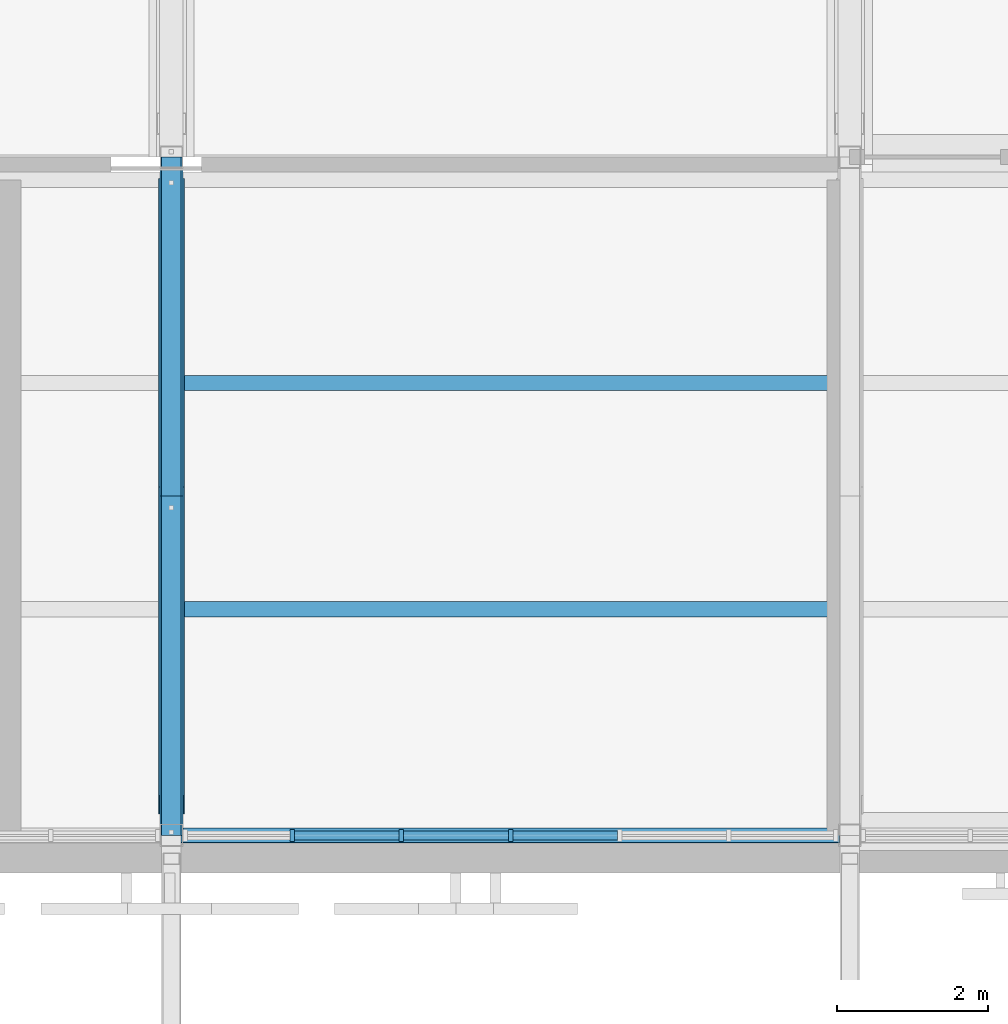
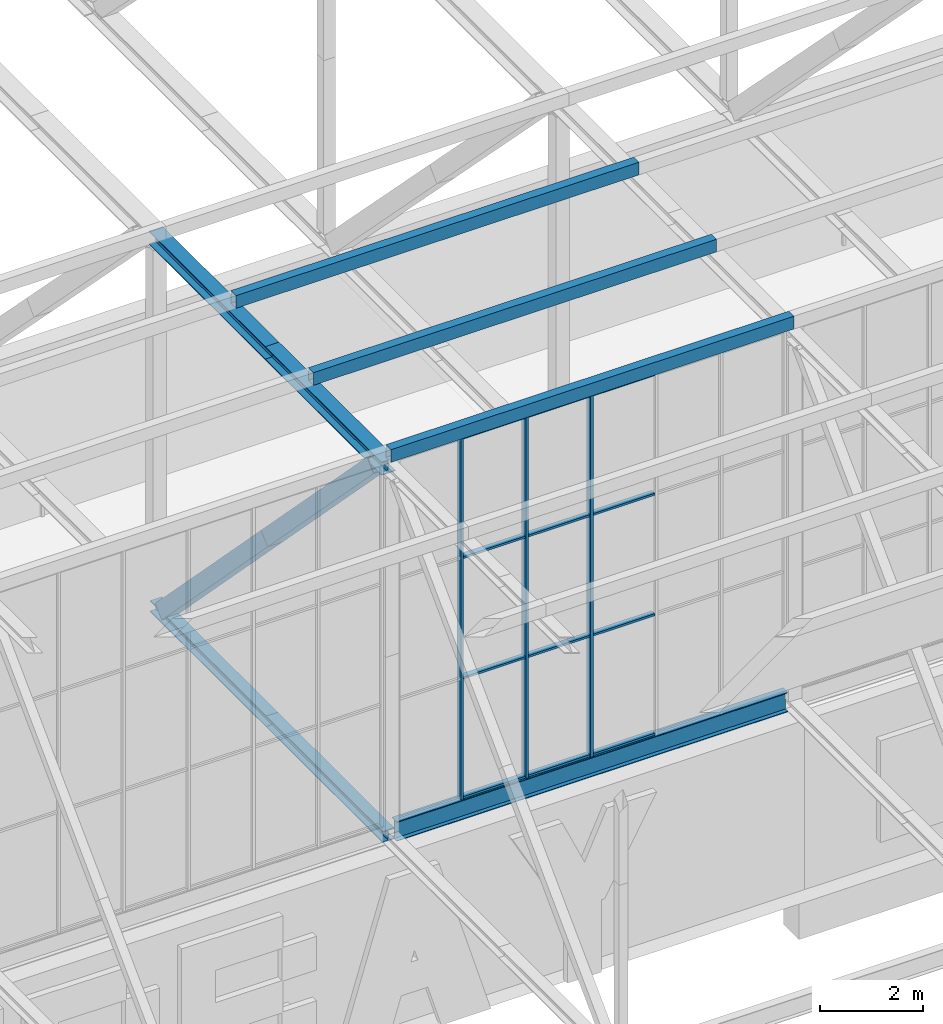
# One storey, part 19 of 646: 24 members, 1 beam, 1 element without a shape of its own.
"""IFC4 building model written with IfcOpenShell, lengths in metres."""

import ifcopenshell
import ifcopenshell.guid

model = None  # the IFC model being written
_history = None  # IfcOwnerHistory: only IFC2X3 demands one
_inside = {}  # id of a spatial element -> (the spatial element, [elements in it])
_under = {}  # id of a project, library or spatial element -> (it, [spatial elements below it])
_declared = {}  # id of a project -> (the project, [libraries it declares])
_typed = {}  # id of a type object -> (the type object, [elements of that type])
_made_of = {}  # id of a material, layer set ... -> (it, [elements and type objects made of it])


def new_model(schema):
    """Start an empty IFC model of exactly this schema.

    Asked for "IFC4X3", IfcOpenShell would pick the latest addendum, in which some entities
    have other attributes; the version numbers below select the first issue.
    IFC2X3 requires an IfcOwnerHistory on every rooted entity: one is made here for all.
    """
    global model, _history
    if schema == "IFC4X3":
        model = ifcopenshell.file(schema_version=(4, 3, 0, 0))
    else:
        model = ifcopenshell.file(schema=schema)
    _inside.clear()
    _under.clear()
    _declared.clear()
    _typed.clear()
    _made_of.clear()
    _history = None
    if model.schema == "IFC2X3":
        org = make("IfcOrganization", Name="unknown")
        user = make(
            "IfcPersonAndOrganization",
            ThePerson=make("IfcPerson", FamilyName="unknown"),
            TheOrganization=org,
        )
        app = make(
            "IfcApplication",
            ApplicationDeveloper=org,
            Version="unknown",
            ApplicationFullName="unknown",
            ApplicationIdentifier="unknown",
        )
        _history = make(
            "IfcOwnerHistory",
            OwningUser=user,
            OwningApplication=app,
            ChangeAction="ADDED",
            CreationDate=0,
        )
    return model


def make(cls, **values):
    """One entity of the class cls with the attributes given. An attribute that is None is left unset."""
    return model.create_entity(
        cls, **{name: value for name, value in values.items() if value is not None}
    )


def rooted(cls, **values):
    """An entity with a GlobalId (a new one), such as an element, a storey or a relation."""
    return make(cls, GlobalId=ifcopenshell.guid.new(), OwnerHistory=_history, **values)


def si_unit(unit_type, name, prefix=None):
    """IfcSIUnit, for example si_unit("LENGTHUNIT", "METRE", prefix="MILLI")."""
    return make("IfcSIUnit", UnitType=unit_type, Prefix=prefix, Name=name)


def assignment(units):
    """IfcUnitAssignment: the units of a project."""
    return None if units is None else make("IfcUnitAssignment", Units=units)


def point(xyz):
    """IfcCartesianPoint."""
    return None if xyz is None else make("IfcCartesianPoint", Coordinates=xyz)


def direction(xyz):
    """IfcDirection."""
    return None if xyz is None else make("IfcDirection", DirectionRatios=xyz)


def frame(location, z_axis=None, x_axis=None):
    """IfcAxis2Placement3D, a coordinate frame: its origin and axes. An axis left out is left unset."""
    return make(
        "IfcAxis2Placement3D",
        Location=point(location),
        Axis=direction(z_axis),
        RefDirection=direction(x_axis),
    )


def frame_2d(location, x_axis=None):
    """IfcAxis2Placement2D, a coordinate frame in the plane: its origin and x axis."""
    return make(
        "IfcAxis2Placement2D", Location=point(location), RefDirection=direction(x_axis)
    )


def origin():
    """The frame at (0, 0, 0) with its axes left unset."""
    return frame((0.0, 0.0, 0.0))


def origin_2d():
    """The frame at (0, 0) in the plane with its x axis left unset."""
    return frame_2d((0.0, 0.0))


def place(relative_to, where):
    """IfcLocalPlacement: puts the frame where relative to a parent placement (None: the world)."""
    return make(
        "IfcLocalPlacement", PlacementRelTo=relative_to, RelativePlacement=where
    )


def context(
    kind, dimensions, precision=None, world=None, true_north=None, identifier=None
):
    """IfcGeometricRepresentationContext, for example the 3D "Model" context."""
    return make(
        "IfcGeometricRepresentationContext",
        ContextIdentifier=identifier,
        ContextType=kind,
        CoordinateSpaceDimension=dimensions,
        Precision=precision,
        WorldCoordinateSystem=world,
        TrueNorth=true_north,
    )


def subcontext(parent, identifier, kind, view, scale=None):
    """IfcGeometricRepresentationSubContext, for example "Body" below "Model"."""
    return make(
        "IfcGeometricRepresentationSubContext",
        ContextIdentifier=identifier,
        ContextType=kind,
        ParentContext=parent,
        TargetScale=scale,
        TargetView=view,
    )


def project(units=None, contexts=None):
    """IfcProject with its units and contexts."""
    return rooted(
        "IfcProject",
        Name="project",
        RepresentationContexts=contexts,
        UnitsInContext=assignment(units),
    )


def spatial(cls, under=None, at=None, **own):
    """A site, building, storey or space (cls), placed at a placement, below another one or the project."""
    s = rooted(cls, ObjectPlacement=at, **own)
    if under is not None:
        _under.setdefault(under.id(), (under, []))[1].append(s)
    return s


def profile(cls, at=None, kind="AREA", **sizes):
    """A parametric profile (cls). Its sizes go by their IFC names, for example OverallWidth=200.0."""
    return make(cls, ProfileType=kind, Position=at, **sizes)


def rectangle(**sizes):
    """IfcRectangleProfileDef."""
    return profile("IfcRectangleProfileDef", **sizes)


def hollow_rectangle(**sizes):
    """IfcRectangleHollowProfileDef."""
    return profile("IfcRectangleHollowProfileDef", **sizes)


def i_section(**sizes):
    """IfcIShapeProfileDef."""
    return profile("IfcIShapeProfileDef", **sizes)


def extrude(swept, where, along, depth):
    """IfcExtrudedAreaSolid: the profile swept, set in the frame where, extruded along a direction by depth."""
    return make(
        "IfcExtrudedAreaSolid",
        SweptArea=swept,
        Position=where,
        ExtrudedDirection=direction(along),
        Depth=depth,
    )


def shape(context_of_items, identifier, shape_type, items):
    """IfcShapeRepresentation: the items that make up one representation, for example the "Body"."""
    return make(
        "IfcShapeRepresentation",
        ContextOfItems=context_of_items,
        RepresentationIdentifier=identifier,
        RepresentationType=shape_type,
        Items=items,
    )


def material(Name=None, Category=None):
    """IfcMaterial."""
    return make("IfcMaterial", Name=Name, Category=Category)


def material_profile(
    of_material, cross_section, Name=None, Category=None, Priority=None
):
    """IfcMaterialProfile: a cross section and its material."""
    return make(
        "IfcMaterialProfile",
        Name=Name,
        Material=of_material,
        Profile=cross_section,
        Priority=Priority,
        Category=Category,
    )


def profile_set(profiles, Name=None, composite=None):
    """IfcMaterialProfileSet."""
    return make(
        "IfcMaterialProfileSet",
        Name=Name,
        MaterialProfiles=profiles,
        CompositeProfile=composite,
    )


def made_of(thing, what):
    """Note that an element or type object is made of a material, layer set ...; save() writes the relation."""
    if what is not None:
        _made_of.setdefault(what.id(), (what, []))[1].append(thing)
    return thing


def type_object(cls, material=None, **own):
    """A type object (cls), such as IfcWallType, which elements share."""
    return made_of(rooted(cls, **own), material)


def element(
    cls,
    number,
    at=None,
    inside=None,
    cuts=None,
    type_object=None,
    material=None,
    context=None,
    identifier="Body",
    shape_type=None,
    held_by="IfcProductDefinitionShape",
    body=None,
    shapes=None,
    **own,
):
    """One element of the class cls, such as IfcWall. Its Tag is "e" and its number.

    at: its placement. inside: the storey or other place that contains it. cuts: it is an
    opening in that element (IfcRelVoidsElement). A single representation is given by context,
    identifier, shape_type and body (its items); several are given by shapes. held_by: the class
    of the entity that holds the representations. save() writes the other relations.
    """
    e = rooted(cls, Tag="e%d" % number, ObjectPlacement=at, **own)
    if body is not None:
        shapes = [shape(context, identifier, shape_type, body)]
    if shapes is not None:
        e.Representation = make(held_by, Representations=shapes)
    if inside is not None:
        _inside.setdefault(inside.id(), (inside, []))[1].append(e)
    if cuts is not None:
        rooted(
            "IfcRelVoidsElement", RelatingBuildingElement=cuts, RelatedOpeningElement=e
        )
    if type_object is not None:
        _typed.setdefault(type_object.id(), (type_object, []))[1].append(e)
    return made_of(e, material)


def aggregate(whole, parts):
    """IfcRelAggregates: a whole, such as a stair, and the parts it consists of."""
    return rooted("IfcRelAggregates", RelatingObject=whole, RelatedObjects=parts)


def save(model, path):
    """Write the relations noted so far, then the file.

    IfcRelAggregates (storeys below a building ...), IfcRelContainedInSpatialStructure (elements
    in a storey), IfcRelDefinesByType, IfcRelAssociatesMaterial and IfcRelDeclares: one each for
    every whole, place, type object, material and project.
    """
    for whole, parts in _under.values():
        aggregate(whole, parts)
    for where, things in _inside.values():
        rooted(
            "IfcRelContainedInSpatialStructure",
            RelatedElements=things,
            RelatingStructure=where,
        )
    for kind, things in _typed.values():
        rooted("IfcRelDefinesByType", RelatedObjects=things, RelatingType=kind)
    for what, things in _made_of.values():
        rooted("IfcRelAssociatesMaterial", RelatedObjects=things, RelatingMaterial=what)
    for by, libraries in _declared.values():
        rooted("IfcRelDeclares", RelatingContext=by, RelatedDefinitions=libraries)
    model.write(path)


model = new_model("IFC4")

# Units and contexts
model_context = context("Model", 3, precision=1e-05, world=origin(), true_north=direction((0.0, 1.0)))
body_context = subcontext(model_context, "Body", "Model", "MODEL_VIEW")
ifc_project = project(units=[si_unit("LENGTHUNIT", "METRE"), si_unit("AREAUNIT", "SQUARE_METRE"), si_unit("VOLUMEUNIT", "CUBIC_METRE"), si_unit("PLANEANGLEUNIT", "RADIAN"), si_unit("MASSUNIT", "GRAM", prefix="KILO")], contexts=[model_context])

# Site, building, storey
site_placement = place(None, origin())
site = spatial("IfcSite", under=ifc_project, at=site_placement, CompositionType="ELEMENT")
building_placement = place(site_placement, origin())
building = spatial("IfcBuilding", under=site, at=building_placement, Name="Silverbay Arena", CompositionType="ELEMENT")
storey_placement = place(building_placement, frame((0.0, 0.0, 33.5)))
storey = spatial("IfcBuildingStorey", under=building, at=storey_placement, Name="L05", CompositionType="ELEMENT", Elevation=33.5)

# Members
ifc_material_1 = material(Name="Steel S355", Category="steel")
ifc_material_profile_1 = material_profile(ifc_material_1, i_section(OverallWidth=0.2587890625, OverallDepth=0.2666015625, WebThickness=0.0126953125, FlangeThickness=0.0205078125, at=origin_2d()), Name="UC 254x254x107")
ifc_profile_set_1 = profile_set([ifc_material_profile_1], Name="Steel S355")
member_type_1 = type_object("IfcMemberType", Name="Main-span bottom chord UC 254x254x107", PredefinedType="CHORD", material=ifc_profile_set_1)
for number, where, z_axis, x_axis, name in (
    (1, (108.0, 18.0, 4.13330078125), (0.0, 1.0, 0.0), (-1.0, 0.0, 0.0), "ROOF TRUSS 13 bottom chord 02a"),
    (2, (108.0, 22.5, 4.13330078125), (0.0, 1.0, 0.0), (-1.0, 0.0, 0.0), "ROOF TRUSS 13 bottom chord 02b"),
):
    element("IfcMember", number, at=place(storey_placement, frame(where, z_axis=z_axis, x_axis=x_axis)), inside=storey, type_object=member_type_1, Name=name, PredefinedType="CHORD", context=body_context, shape_type="SweptSolid", body=[
        extrude(i_section(OverallWidth=0.2587890625, OverallDepth=0.2666015625, WebThickness=0.0126953125, FlangeThickness=0.0205078125, at=origin_2d()), origin(), (0.0, 0.0, 1.0), 4.5),
    ])
ifc_material_2 = material(Name="Steel S355", Category="steel")
ifc_material_profile_2 = material_profile(ifc_material_2, i_section(OverallWidth=0.307373046875, OverallDepth=0.314453125, WebThickness=0.011962890625, FlangeThickness=0.018798828125, at=origin_2d()), Name="UC 305x305x118")
ifc_profile_set_2 = profile_set([ifc_material_profile_2], Name="Steel S355")
member_type_2 = type_object("IfcMemberType", Name="Main-span top chord UC 305x305x118", PredefinedType="CHORD", material=ifc_profile_set_2)
for number, where, z_axis, x_axis, name in (
    (3, (108.0, 18.0, 12.8427734375), (0.0, 1.0, 0.0), (-1.0, 0.0, 0.0), "ROOF TRUSS 13 top chord 02a"),
    (4, (108.0, 22.5, 12.8427734375), (0.0, 1.0, 0.0), (-1.0, 0.0, 0.0), "ROOF TRUSS 13 top chord 02b"),
):
    element("IfcMember", number, at=place(storey_placement, frame(where, z_axis=z_axis, x_axis=x_axis)), inside=storey, type_object=member_type_2, Name=name, PredefinedType="CHORD", context=body_context, shape_type="SweptSolid", body=[
        extrude(i_section(OverallWidth=0.307373046875, OverallDepth=0.314453125, WebThickness=0.011962890625, FlangeThickness=0.018798828125, at=origin_2d()), origin(), (0.0, 0.0, 1.0), 4.5),
    ])
ifc_material_3 = material(Name="Steel S355", Category="steel")
ifc_material_profile_3 = material_profile(ifc_material_3, hollow_rectangle(XDim=0.35009765625, YDim=0.35009765625, WallThickness=0.01611328125, at=origin_2d()), Name="SHS 350x350x16")
ifc_profile_set_3 = profile_set([ifc_material_profile_3], Name="Steel S355")
member_type_3 = type_object("IfcMemberType", Name="Main-span truss diagonal SHS 350x350x16", PredefinedType="BRACE", material=ifc_profile_set_3)
for number, where, z_axis, x_axis, name in (
    (5, (108.0, 18.40625, 12.685546875), (0.0, 0.697184071327, -0.716892161129), (-1.0, 0.0, 0.0), "ROOF TRUSS 13 diagonal 02a"),
    (6, (108.0, 22.5, 8.47607421875), (0.0, 0.697184071327, -0.716892161129), (-1.0, 0.0, 0.0), "ROOF TRUSS 13 diagonal 02b"),
):
    element("IfcMember", number, at=place(storey_placement, frame(where, z_axis=z_axis, x_axis=x_axis)), inside=storey, type_object=member_type_3, Name=name, PredefinedType="BRACE", context=body_context, shape_type="SweptSolid", body=[
        extrude(hollow_rectangle(XDim=0.35009765625, YDim=0.35009765625, WallThickness=0.01611328125, at=origin_2d()), origin(), (0.0, 0.0, 1.0), 5.871826171875),
    ])

# Curtain wall, members
ifc_material_4 = material(Name="Aluminium framed glazing", Category="aluminium")
curtain_wall_type = type_object("IfcCurtainWallType", Name="Curtain wall clerestory 8693 x 8540", PredefinedType="NOTDEFINED", material=ifc_material_4)
curtain_wall_placement = place(storey_placement, origin())
curtain_wall = element("IfcCurtainWall", 7, at=curtain_wall_placement, inside=storey, type_object=curtain_wall_type, Name="ROOF CLERESTORY CURTAIN WALL south bay 07", PredefinedType="NOTDEFINED")
ifc_material_5 = material(Name="Aluminium", Category="aluminium")
ifc_material_profile_4 = material_profile(ifc_material_5, rectangle(XDim=0.159912109375, YDim=0.06005859375, at=origin_2d()), Name="Mullion 60 x 160")
ifc_profile_set_4 = profile_set([ifc_material_profile_4], Name="Aluminium")
member_type_4 = type_object("IfcMemberType", Name="Mullion 60 x 160", PredefinedType="MULLION", material=ifc_profile_set_4)
member_1_placement = place(storey_placement, frame((109.6025390625, 18.0, 4.4599609375), z_axis=(0.0, 0.0, 1.0), x_axis=(0.0, 1.0, 0.0)))
member_1 = element("IfcMember", 8, at=member_1_placement, type_object=member_type_4, Name="CW55 mullion 2", PredefinedType="MULLION", context=body_context, shape_type="SweptSolid", body=[
    extrude(rectangle(XDim=0.159912109375, YDim=0.06005859375, at=origin_2d()), origin(), (0.0, 0.0, 1.0), 8.5400390625),
])
member_2_placement = place(storey_placement, frame((111.05126953125, 18.0, 4.4599609375), z_axis=(0.0, 0.0, 1.0), x_axis=(0.0, 1.0, 0.0)))
member_2 = element("IfcMember", 9, at=member_2_placement, type_object=member_type_4, Name="CW55 mullion 3", PredefinedType="MULLION", context=body_context, shape_type="SweptSolid", body=[
    extrude(rectangle(XDim=0.159912109375, YDim=0.06005859375, at=origin_2d()), origin(), (0.0, 0.0, 1.0), 8.5400390625),
])
member_3_placement = place(storey_placement, frame((112.5, 18.0, 4.4599609375), z_axis=(0.0, 0.0, 1.0), x_axis=(0.0, 1.0, 0.0)))
member_3 = element("IfcMember", 10, at=member_3_placement, type_object=member_type_4, Name="CW55 mullion 4", PredefinedType="MULLION", context=body_context, shape_type="SweptSolid", body=[
    extrude(rectangle(XDim=0.159912109375, YDim=0.06005859375, at=origin_2d()), origin(), (0.0, 0.0, 1.0), 8.5400390625),
])

# Members
ifc_material_6 = material(Name="Steel S355", Category="steel")
ifc_material_profile_5 = material_profile(ifc_material_6, hollow_rectangle(XDim=0.199951171875, YDim=0.300048828125, WallThickness=0.00634765625, at=origin_2d()), Name="RHS 300x200x6.3")
ifc_profile_set_5 = profile_set([ifc_material_profile_5], Name="Steel S355")
member_type_5 = type_object("IfcMemberType", Name="Purlin RHS 300x200x6.3", PredefinedType="PURLIN", material=ifc_profile_set_5)
member_4_placement = place(storey_placement, frame((108.0, 24.0, 13.14990234375), z_axis=(1.0, 0.0, 0.0), x_axis=(0.0, 1.0, 0.0)))
element("IfcMember", 11, at=member_4_placement, inside=storey, type_object=member_type_5, Name="ROOF PURLIN 13-14 line 06", PredefinedType="PURLIN", context=body_context, shape_type="SweptSolid", body=[
    extrude(hollow_rectangle(XDim=0.199951171875, YDim=0.300048828125, WallThickness=0.00634765625, at=origin_2d()), origin(), (0.0, 0.0, 1.0), 9.0),
])
ifc_material_7 = material(Name="Steel S355", Category="steel")
ifc_material_profile_6 = material_profile(ifc_material_7, hollow_rectangle(XDim=0.199951171875, YDim=0.300048828125, WallThickness=0.008056640625, at=origin_2d()), Name="RHS 300x200x8")
ifc_profile_set_6 = profile_set([ifc_material_profile_6], Name="Steel S355")
member_type_6 = type_object("IfcMemberType", Name="Purlin RHS 300x200x8", PredefinedType="PURLIN", material=ifc_profile_set_6)
for number, where, z_axis, x_axis, name in (
    (12, (108.0, 18.0, 13.14990234375), (1.0, 0.0, 0.0), (0.0, 1.0, 0.0), "ROOF PURLIN 13-14 line 04"),
    (13, (108.0, 21.0, 13.14990234375), (1.0, 0.0, 0.0), (0.0, 1.0, 0.0), "ROOF PURLIN 13-14 line 05"),
):
    element("IfcMember", number, at=place(storey_placement, frame(where, z_axis=z_axis, x_axis=x_axis)), inside=storey, type_object=member_type_6, Name=name, PredefinedType="PURLIN", context=body_context, shape_type="SweptSolid", body=[
        extrude(hollow_rectangle(XDim=0.199951171875, YDim=0.300048828125, WallThickness=0.008056640625, at=origin_2d()), origin(), (0.0, 0.0, 1.0), 9.0),
    ])

# Beam
ifc_material_8 = material(Name="Steel S355", Category="steel")
ifc_material_profile_7 = material_profile(ifc_material_8, i_section(OverallWidth=0.19140625, OverallDepth=0.4599609375, WebThickness=0.010009765625, FlangeThickness=0.01611328125, at=origin_2d()), Name="UB 457x191x82")
ifc_profile_set_7 = profile_set([ifc_material_profile_7], Name="Steel S355")
beam_type = type_object("IfcBeamType", Name="Ring beam UB 457x191x82", PredefinedType="BEAM", material=ifc_profile_set_7)
beam_placement = place(storey_placement, frame((108.12939453125, 18.0, 4.22998046875), z_axis=(1.0, 0.0, 0.0), x_axis=(0.0, 1.0, 0.0)))
element("IfcBeam", 14, at=beam_placement, inside=storey, type_object=beam_type, Name="RING BEAM south facade 13-14", PredefinedType="BEAM", context=body_context, shape_type="SweptSolid", body=[
    extrude(i_section(OverallWidth=0.19140625, OverallDepth=0.4599609375, WebThickness=0.010009765625, FlangeThickness=0.01611328125, at=origin_2d()), origin(), (0.0, 0.0, 1.0), 8.7412109375),
])

# Member
ifc_material_9 = material(Name="Aluminium", Category="aluminium")
ifc_material_profile_8 = material_profile(ifc_material_9, rectangle(XDim=0.1201171875, YDim=0.050048828125, at=origin_2d()), Name="Transom 50 x 120")
ifc_profile_set_8 = profile_set([ifc_material_profile_8], Name="Aluminium")
member_type_7 = type_object("IfcMemberType", Name="Transom 50 x 120", PredefinedType="USERDEFINED", material=ifc_profile_set_8)
member_5_placement = place(storey_placement, frame((109.632568359375, 18.0, 4.485107421875), z_axis=(1.0, 0.0, 0.0), x_axis=(0.0, 1.0, 0.0)))
member_5 = element("IfcMember", 15, at=member_5_placement, type_object=member_type_7, Name="CW55 transom 2.1", ObjectType="TRANSOM", PredefinedType="USERDEFINED", context=body_context, shape_type="SweptSolid", body=[
    extrude(rectangle(XDim=0.1201171875, YDim=0.050048828125, at=origin_2d()), origin(), (0.0, 0.0, 1.0), 1.388671875),
])

member_6_placement = place(storey_placement, frame((109.632568359375, 18.0, 7.306640625), z_axis=(1.0, 0.0, 0.0), x_axis=(0.0, 1.0, 0.0)))
member_6 = element("IfcMember", 16, at=member_6_placement, type_object=member_type_7, Name="CW55 transom 2.2", ObjectType="TRANSOM", PredefinedType="USERDEFINED", context=body_context, shape_type="SweptSolid", body=[
    extrude(rectangle(XDim=0.1201171875, YDim=0.050048828125, at=origin_2d()), origin(), (0.0, 0.0, 1.0), 1.388671875),
])

member_7_placement = place(storey_placement, frame((109.632568359375, 18.0, 10.1533203125), z_axis=(1.0, 0.0, 0.0), x_axis=(0.0, 1.0, 0.0)))
member_7 = element("IfcMember", 17, at=member_7_placement, type_object=member_type_7, Name="CW55 transom 2.3", ObjectType="TRANSOM", PredefinedType="USERDEFINED", context=body_context, shape_type="SweptSolid", body=[
    extrude(rectangle(XDim=0.1201171875, YDim=0.050048828125, at=origin_2d()), origin(), (0.0, 0.0, 1.0), 1.388671875),
])

member_8_placement = place(storey_placement, frame((109.632568359375, 18.0, 12.97509765625), z_axis=(1.0, 0.0, 0.0), x_axis=(0.0, 1.0, 0.0)))
member_8 = element("IfcMember", 18, at=member_8_placement, type_object=member_type_7, Name="CW55 transom 2.4", ObjectType="TRANSOM", PredefinedType="USERDEFINED", context=body_context, shape_type="SweptSolid", body=[
    extrude(rectangle(XDim=0.1201171875, YDim=0.050048828125, at=origin_2d()), origin(), (0.0, 0.0, 1.0), 1.388671875),
])

member_9_placement = place(storey_placement, frame((111.081298828125, 18.0, 4.485107421875), z_axis=(1.0, 0.0, 0.0), x_axis=(0.0, 1.0, 0.0)))
member_9 = element("IfcMember", 19, at=member_9_placement, type_object=member_type_7, Name="CW55 transom 3.1", ObjectType="TRANSOM", PredefinedType="USERDEFINED", context=body_context, shape_type="SweptSolid", body=[
    extrude(rectangle(XDim=0.1201171875, YDim=0.050048828125, at=origin_2d()), origin(), (0.0, 0.0, 1.0), 1.388671875),
])

member_10_placement = place(storey_placement, frame((111.081298828125, 18.0, 7.306640625), z_axis=(1.0, 0.0, 0.0), x_axis=(0.0, 1.0, 0.0)))
member_10 = element("IfcMember", 20, at=member_10_placement, type_object=member_type_7, Name="CW55 transom 3.2", ObjectType="TRANSOM", PredefinedType="USERDEFINED", context=body_context, shape_type="SweptSolid", body=[
    extrude(rectangle(XDim=0.1201171875, YDim=0.050048828125, at=origin_2d()), origin(), (0.0, 0.0, 1.0), 1.388671875),
])

member_11_placement = place(storey_placement, frame((111.081298828125, 18.0, 10.1533203125), z_axis=(1.0, 0.0, 0.0), x_axis=(0.0, 1.0, 0.0)))
member_11 = element("IfcMember", 21, at=member_11_placement, type_object=member_type_7, Name="CW55 transom 3.3", ObjectType="TRANSOM", PredefinedType="USERDEFINED", context=body_context, shape_type="SweptSolid", body=[
    extrude(rectangle(XDim=0.1201171875, YDim=0.050048828125, at=origin_2d()), origin(), (0.0, 0.0, 1.0), 1.388671875),
])

member_12_placement = place(storey_placement, frame((111.081298828125, 18.0, 12.97509765625), z_axis=(1.0, 0.0, 0.0), x_axis=(0.0, 1.0, 0.0)))
member_12 = element("IfcMember", 22, at=member_12_placement, type_object=member_type_7, Name="CW55 transom 3.4", ObjectType="TRANSOM", PredefinedType="USERDEFINED", context=body_context, shape_type="SweptSolid", body=[
    extrude(rectangle(XDim=0.1201171875, YDim=0.050048828125, at=origin_2d()), origin(), (0.0, 0.0, 1.0), 1.388671875),
])

member_13_placement = place(storey_placement, frame((112.530029296875, 18.0, 4.485107421875), z_axis=(1.0, 0.0, 0.0), x_axis=(0.0, 1.0, 0.0)))
member_13 = element("IfcMember", 23, at=member_13_placement, type_object=member_type_7, Name="CW55 transom 4.1", ObjectType="TRANSOM", PredefinedType="USERDEFINED", context=body_context, shape_type="SweptSolid", body=[
    extrude(rectangle(XDim=0.1201171875, YDim=0.050048828125, at=origin_2d()), origin(), (0.0, 0.0, 1.0), 1.388671875),
])

member_14_placement = place(storey_placement, frame((112.530029296875, 18.0, 7.306640625), z_axis=(1.0, 0.0, 0.0), x_axis=(0.0, 1.0, 0.0)))
member_14 = element("IfcMember", 24, at=member_14_placement, type_object=member_type_7, Name="CW55 transom 4.2", ObjectType="TRANSOM", PredefinedType="USERDEFINED", context=body_context, shape_type="SweptSolid", body=[
    extrude(rectangle(XDim=0.1201171875, YDim=0.050048828125, at=origin_2d()), origin(), (0.0, 0.0, 1.0), 1.388671875),
])

member_15_placement = place(storey_placement, frame((112.530029296875, 18.0, 10.1533203125), z_axis=(1.0, 0.0, 0.0), x_axis=(0.0, 1.0, 0.0)))
member_15 = element("IfcMember", 25, at=member_15_placement, type_object=member_type_7, Name="CW55 transom 4.3", ObjectType="TRANSOM", PredefinedType="USERDEFINED", context=body_context, shape_type="SweptSolid", body=[
    extrude(rectangle(XDim=0.1201171875, YDim=0.050048828125, at=origin_2d()), origin(), (0.0, 0.0, 1.0), 1.388671875),
])

member_16_placement = place(storey_placement, frame((112.530029296875, 18.0, 12.97509765625), z_axis=(1.0, 0.0, 0.0), x_axis=(0.0, 1.0, 0.0)))
member_16 = element("IfcMember", 26, at=member_16_placement, type_object=member_type_7, Name="CW55 transom 4.4", ObjectType="TRANSOM", PredefinedType="USERDEFINED", context=body_context, shape_type="SweptSolid", body=[
    extrude(rectangle(XDim=0.1201171875, YDim=0.050048828125, at=origin_2d()), origin(), (0.0, 0.0, 1.0), 1.388671875),
])

aggregate(curtain_wall, [member_1, member_2, member_3, member_5, member_6, member_7, member_8, member_9, member_10, member_11, member_12, member_13, member_14, member_15, member_16])

save(model, "model.ifc")
